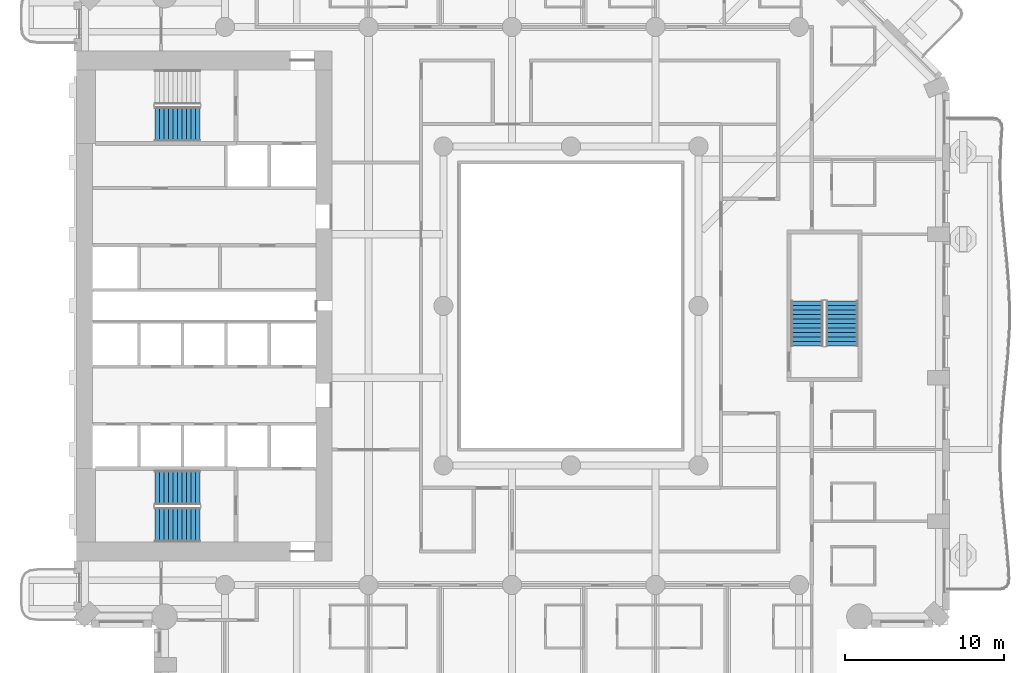
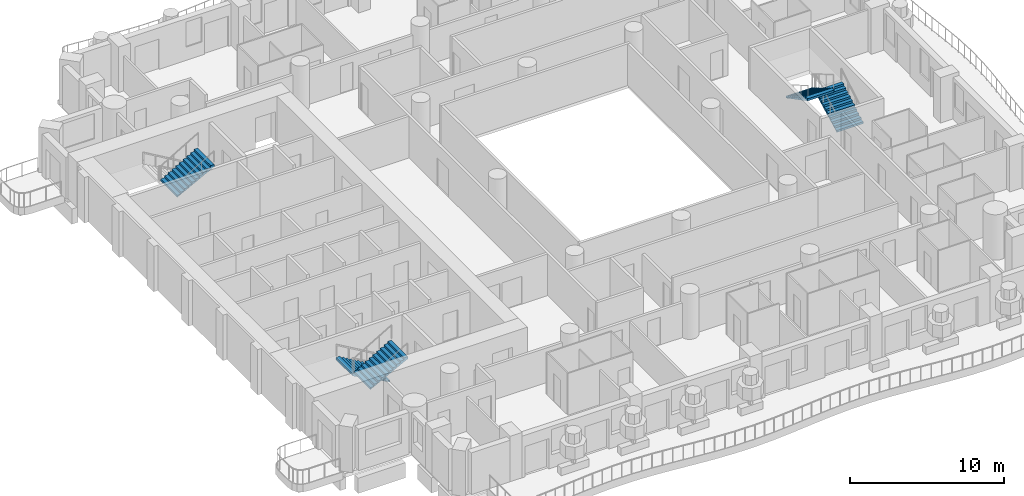
# One storey, part 11 of 20: 5 stair flights, 3 elements without a shape of their own.
"""IFC4 building model written with IfcOpenShell, lengths in metres."""

from ifc_helpers import new_model, si_unit, direction, frame, origin, place, context, subcontext, project, spatial, triangles, material, type_object, element, aggregate, save


model = new_model("IFC4")

# Units and contexts
model_context = context("Model", 3, precision=1e-05, world=origin(), true_north=direction((0.0, 1.0)))
body_context = subcontext(model_context, "Body", "Model", "MODEL_VIEW")
ifc_project = project(units=[si_unit("LENGTHUNIT", "METRE"), si_unit("AREAUNIT", "SQUARE_METRE"), si_unit("VOLUMEUNIT", "CUBIC_METRE"), si_unit("PLANEANGLEUNIT", "RADIAN"), si_unit("MASSUNIT", "GRAM", prefix="KILO")], contexts=[model_context])

# Site, building, storey
site_placement = place(None, origin())
site = spatial("IfcSite", under=ifc_project, at=site_placement, CompositionType="ELEMENT")
building_placement = place(site_placement, origin())
building = spatial("IfcBuilding", under=site, at=building_placement, Name="Cypress Arch Tower", CompositionType="ELEMENT")
storey_placement = place(building_placement, frame((0.0, 0.0, 55.5)))
storey = spatial("IfcBuildingStorey", under=building, at=storey_placement, Name="L07", CompositionType="ELEMENT", Elevation=55.5)

# Stair, stair flights
ifc_material_1 = material(Name="Concrete C40/50", Category="concrete")
stair_type_1 = type_object("IfcStairType", Name="Exit stair ES1636-200", PredefinedType="HALF_TURN_STAIR", material=ifc_material_1)
stair_1_placement = place(storey_placement, origin())
stair_1 = element("IfcStair", 1, at=stair_1_placement, inside=storey, type_object=stair_type_1, Name="L07 Exit stair C", PredefinedType="HALF_TURN_STAIR")
ifc_material_2 = material(Name="Concrete C40/50", Category="concrete")
stair_flight_type_1 = type_object("IfcStairFlightType", Name="Exit stair flight ES1636-200", PredefinedType="STRAIGHT", material=ifc_material_2)
stair_flight_1_placement = place(storey_placement, frame((18.0, -2.5, 0.0), z_axis=(0.0, 0.0, 1.0), x_axis=(0.0, 1.0, 0.0)))
stair_flight_1 = element("IfcStairFlight", 2, at=stair_flight_1_placement, type_object=stair_flight_type_1, Name="C flight 1", NumberOfRisers=11, NumberOfTreads=10, PredefinedType="STRAIGHT", RiserHeight=0.163636364, TreadLength=0.28, context=body_context, shape_type="Tessellation", body=[
    triangles([(0.0, -1.0, 0.0), (0.00048828125, -1.0, 0.054443359375), (0.00048828125, -1.0, 0.109130859375), (0.0, -1.0, 0.16357421875), (0.280029296875, -1.0, 0.16357421875), (0.280029296875, -1.0, 0.327392578125), (0.56005859375, -1.0, 0.327392578125), (0.56005859375, -1.0, 0.490966796875), (0.840087890625, -1.0, 0.490966796875), (0.840087890625, -1.0, 0.654541015625), (1.1201171875, -1.0, 0.654541015625), (1.1201171875, -1.0, 0.818115234375), (1.39990234375, -1.0, 0.818115234375), (1.39990234375, -1.0, 0.98193359375), (1.679931640625, -1.0, 0.98193359375), (1.679931640625, -1.0, 1.1455078125), (1.9599609375, -1.0, 1.1455078125), (1.9599609375, -1.0, 1.30908203125), (2.239990234375, -1.0, 1.30908203125), (2.239990234375, -1.0, 1.47265625), (2.52001953125, -1.0, 1.47265625), (2.52001953125, -1.0, 1.636474609375), (2.800048828125, -1.0, 1.636474609375), (2.799560546875, -1.0, 1.57861328125), (2.799560546875, -1.0, 1.5205078125), (2.800048828125, -1.0, 1.462646484375), (2.800048828125, 1.0, 1.462646484375), (2.799560546875, 1.0, 1.5205078125), (2.799560546875, 1.0, 1.57861328125), (2.800048828125, 1.0, 1.636474609375), (2.52001953125, 1.0, 1.636474609375), (2.52001953125, 1.0, 1.47265625), (2.239990234375, 1.0, 1.47265625), (2.239990234375, 1.0, 1.30908203125), (1.9599609375, 1.0, 1.30908203125), (1.9599609375, 1.0, 1.1455078125), (1.679931640625, 1.0, 1.1455078125), (1.679931640625, 1.0, 0.98193359375), (1.39990234375, 1.0, 0.98193359375), (1.39990234375, 1.0, 0.818115234375), (1.1201171875, 1.0, 0.818115234375), (1.1201171875, 1.0, 0.654541015625), (0.840087890625, 1.0, 0.654541015625), (0.840087890625, 1.0, 0.490966796875), (0.56005859375, 1.0, 0.490966796875), (0.56005859375, 1.0, 0.327392578125), (0.280029296875, 1.0, 0.327392578125), (0.280029296875, 1.0, 0.16357421875), (0.0, 1.0, 0.16357421875), (0.00048828125, 1.0, 0.109130859375), (0.00048828125, 1.0, 0.054443359375), (0.0, 1.0, 0.0), (2.799560546875, 0.0, 1.5205078125), (2.800048828125, 0.0, 1.462646484375), (2.799560546875, 0.0, 1.57861328125), (2.800048828125, 0.0, 1.636474609375), (2.52001953125, 0.0, 1.636474609375), (2.52001953125, 0.0, 1.47265625), (2.239990234375, 0.0, 1.47265625), (2.239990234375, 0.0, 1.30908203125), (1.9599609375, 0.0, 1.30908203125), (1.9599609375, 0.0, 1.1455078125), (1.679931640625, 0.0, 1.1455078125), (1.679931640625, 0.0, 0.98193359375), (1.39990234375, 0.0, 0.98193359375), (1.39990234375, 0.0, 0.818115234375), (1.1201171875, 0.0, 0.818115234375), (1.1201171875, 0.0, 0.654541015625), (0.840087890625, 0.0, 0.654541015625), (0.840087890625, 0.0, 0.490966796875), (0.56005859375, 0.0, 0.490966796875), (0.56005859375, 0.0, 0.327392578125), (0.280029296875, 0.0, 0.327392578125), (0.280029296875, 0.0, 0.16357421875), (0.0, 0.0, 0.16357421875), (0.00048828125, 0.0, 0.109130859375), (0.00048828125, 0.0, 0.054443359375), (0.0, 0.0, 0.0)], [[26, 25, 22], [25, 24, 22], [24, 23, 22], [15, 14, 13], [7, 6, 5], [13, 12, 11], [21, 20, 19], [19, 18, 17], [17, 16, 15], [11, 10, 9], [9, 8, 7], [4, 3, 5], [3, 2, 5], [2, 1, 5], [26, 22, 21], [26, 21, 19], [26, 19, 17], [26, 17, 15], [26, 15, 13], [26, 13, 11], [26, 11, 9], [26, 9, 7], [26, 7, 5], [26, 5, 1], [27, 31, 28], [28, 31, 29], [29, 31, 30], [38, 40, 39], [46, 48, 47], [40, 42, 41], [32, 34, 33], [34, 36, 35], [36, 38, 37], [42, 44, 43], [44, 46, 45], [49, 48, 50], [50, 48, 51], [51, 48, 52], [27, 32, 31], [27, 34, 32], [27, 36, 34], [27, 38, 36], [27, 40, 38], [27, 42, 40], [27, 44, 42], [27, 46, 44], [27, 48, 46], [27, 52, 48], [54, 53, 25], [54, 25, 26], [27, 28, 53], [27, 53, 54], [53, 55, 24], [53, 24, 25], [28, 29, 55], [28, 55, 53], [55, 56, 23], [55, 23, 24], [29, 30, 56], [29, 56, 55], [56, 57, 22], [56, 22, 23], [30, 31, 57], [30, 57, 56], [57, 58, 21], [57, 21, 22], [31, 32, 58], [31, 58, 57], [58, 59, 20], [58, 20, 21], [32, 33, 59], [32, 59, 58], [59, 60, 19], [59, 19, 20], [33, 34, 60], [33, 60, 59], [60, 61, 18], [60, 18, 19], [34, 35, 61], [34, 61, 60], [61, 62, 17], [61, 17, 18], [35, 36, 62], [35, 62, 61], [62, 63, 16], [62, 16, 17], [36, 37, 63], [36, 63, 62], [63, 64, 15], [63, 15, 16], [37, 38, 64], [37, 64, 63], [64, 65, 14], [64, 14, 15], [38, 39, 65], [38, 65, 64], [65, 66, 13], [65, 13, 14], [39, 40, 66], [39, 66, 65], [66, 67, 12], [66, 12, 13], [40, 41, 67], [40, 67, 66], [67, 68, 11], [67, 11, 12], [41, 42, 68], [41, 68, 67], [68, 69, 10], [68, 10, 11], [42, 43, 69], [42, 69, 68], [69, 70, 9], [69, 9, 10], [43, 44, 70], [43, 70, 69], [70, 71, 8], [70, 8, 9], [44, 45, 71], [44, 71, 70], [71, 72, 7], [71, 7, 8], [45, 46, 72], [45, 72, 71], [72, 73, 6], [72, 6, 7], [46, 47, 73], [46, 73, 72], [73, 74, 5], [73, 5, 6], [47, 48, 74], [47, 74, 73], [74, 75, 4], [74, 4, 5], [48, 49, 75], [48, 75, 74], [75, 76, 3], [75, 3, 4], [49, 50, 76], [49, 76, 75], [76, 77, 2], [76, 2, 3], [50, 51, 77], [50, 77, 76], [77, 78, 1], [77, 1, 2], [51, 52, 78], [51, 78, 77], [78, 54, 26], [78, 26, 1], [52, 27, 54], [52, 54, 78]], closed=True),
])
stair_flight_2_placement = place(storey_placement, frame((15.800048828125, 0.300048828125, 1.800048828125), z_axis=(0.0, 0.0, 1.0), x_axis=(0.0, -1.0, 0.0)))
stair_flight_2 = element("IfcStairFlight", 3, at=stair_flight_2_placement, type_object=stair_flight_type_1, Name="C flight 2", NumberOfRisers=11, NumberOfTreads=10, PredefinedType="STRAIGHT", RiserHeight=0.163636364, TreadLength=0.28, context=body_context, shape_type="Tessellation", body=[
    triangles([(0.0, -1.0, 0.0), (0.00048828125, -1.0, 0.054443359375), (0.00048828125, -1.0, 0.109130859375), (0.0, -1.0, 0.16357421875), (0.280029296875, -1.0, 0.16357421875), (0.280029296875, -1.0, 0.327392578125), (0.56005859375, -1.0, 0.327392578125), (0.56005859375, -1.0, 0.490966796875), (0.840087890625, -1.0, 0.490966796875), (0.840087890625, -1.0, 0.654541015625), (1.1201171875, -1.0, 0.654541015625), (1.1201171875, -1.0, 0.818115234375), (1.39990234375, -1.0, 0.818115234375), (1.39990234375, -1.0, 0.98193359375), (1.679931640625, -1.0, 0.98193359375), (1.679931640625, -1.0, 1.1455078125), (1.9599609375, -1.0, 1.1455078125), (1.9599609375, -1.0, 1.30908203125), (2.239990234375, -1.0, 1.30908203125), (2.239990234375, -1.0, 1.47265625), (2.52001953125, -1.0, 1.47265625), (2.52001953125, -1.0, 1.636474609375), (2.800048828125, -1.0, 1.636474609375), (2.799560546875, -1.0, 1.57861328125), (2.799560546875, -1.0, 1.5205078125), (2.800048828125, -1.0, 1.462646484375), (2.800048828125, 1.0, 1.462646484375), (2.799560546875, 1.0, 1.5205078125), (2.799560546875, 1.0, 1.57861328125), (2.800048828125, 1.0, 1.636474609375), (2.52001953125, 1.0, 1.636474609375), (2.52001953125, 1.0, 1.47265625), (2.239990234375, 1.0, 1.47265625), (2.239990234375, 1.0, 1.30908203125), (1.9599609375, 1.0, 1.30908203125), (1.9599609375, 1.0, 1.1455078125), (1.679931640625, 1.0, 1.1455078125), (1.679931640625, 1.0, 0.98193359375), (1.39990234375, 1.0, 0.98193359375), (1.39990234375, 1.0, 0.818115234375), (1.1201171875, 1.0, 0.818115234375), (1.1201171875, 1.0, 0.654541015625), (0.840087890625, 1.0, 0.654541015625), (0.840087890625, 1.0, 0.490966796875), (0.56005859375, 1.0, 0.490966796875), (0.56005859375, 1.0, 0.327392578125), (0.280029296875, 1.0, 0.327392578125), (0.280029296875, 1.0, 0.16357421875), (0.0, 1.0, 0.16357421875), (0.00048828125, 1.0, 0.109130859375), (0.00048828125, 1.0, 0.054443359375), (0.0, 1.0, 0.0), (2.799560546875, 0.0, 1.5205078125), (2.800048828125, 0.0, 1.462646484375), (2.799560546875, 0.0, 1.57861328125), (2.800048828125, 0.0, 1.636474609375), (2.52001953125, 0.0, 1.636474609375), (2.52001953125, 0.0, 1.47265625), (2.239990234375, 0.0, 1.47265625), (2.239990234375, 0.0, 1.30908203125), (1.9599609375, 0.0, 1.30908203125), (1.9599609375, 0.0, 1.1455078125), (1.679931640625, 0.0, 1.1455078125), (1.679931640625, 0.0, 0.98193359375), (1.39990234375, 0.0, 0.98193359375), (1.39990234375, 0.0, 0.818115234375), (1.1201171875, 0.0, 0.818115234375), (1.1201171875, 0.0, 0.654541015625), (0.840087890625, 0.0, 0.654541015625), (0.840087890625, 0.0, 0.490966796875), (0.56005859375, 0.0, 0.490966796875), (0.56005859375, 0.0, 0.327392578125), (0.280029296875, 0.0, 0.327392578125), (0.280029296875, 0.0, 0.16357421875), (0.0, 0.0, 0.16357421875), (0.00048828125, 0.0, 0.109130859375), (0.00048828125, 0.0, 0.054443359375), (0.0, 0.0, 0.0)], [[26, 25, 22], [25, 24, 22], [24, 23, 22], [15, 14, 13], [7, 6, 5], [13, 12, 11], [21, 20, 19], [19, 18, 17], [17, 16, 15], [11, 10, 9], [9, 8, 7], [4, 3, 5], [3, 2, 5], [2, 1, 5], [26, 22, 21], [26, 21, 19], [26, 19, 17], [26, 17, 15], [26, 15, 13], [26, 13, 11], [26, 11, 9], [26, 9, 7], [26, 7, 5], [26, 5, 1], [27, 31, 28], [28, 31, 29], [29, 31, 30], [38, 40, 39], [46, 48, 47], [40, 42, 41], [32, 34, 33], [34, 36, 35], [36, 38, 37], [42, 44, 43], [44, 46, 45], [49, 48, 50], [50, 48, 51], [51, 48, 52], [27, 32, 31], [27, 34, 32], [27, 36, 34], [27, 38, 36], [27, 40, 38], [27, 42, 40], [27, 44, 42], [27, 46, 44], [27, 48, 46], [27, 52, 48], [54, 53, 25], [54, 25, 26], [27, 28, 53], [27, 53, 54], [53, 55, 24], [53, 24, 25], [28, 29, 55], [28, 55, 53], [55, 56, 23], [55, 23, 24], [29, 30, 56], [29, 56, 55], [56, 57, 22], [56, 22, 23], [30, 31, 57], [30, 57, 56], [57, 58, 21], [57, 21, 22], [31, 32, 58], [31, 58, 57], [58, 59, 20], [58, 20, 21], [32, 33, 59], [32, 59, 58], [59, 60, 19], [59, 19, 20], [33, 34, 60], [33, 60, 59], [60, 61, 18], [60, 18, 19], [34, 35, 61], [34, 61, 60], [61, 62, 17], [61, 17, 18], [35, 36, 62], [35, 62, 61], [62, 63, 16], [62, 16, 17], [36, 37, 63], [36, 63, 62], [63, 64, 15], [63, 15, 16], [37, 38, 64], [37, 64, 63], [64, 65, 14], [64, 14, 15], [38, 39, 65], [38, 65, 64], [65, 66, 13], [65, 13, 14], [39, 40, 66], [39, 66, 65], [66, 67, 12], [66, 12, 13], [40, 41, 67], [40, 67, 66], [67, 68, 11], [67, 11, 12], [41, 42, 68], [41, 68, 67], [68, 69, 10], [68, 10, 11], [42, 43, 69], [42, 69, 68], [69, 70, 9], [69, 9, 10], [43, 44, 70], [43, 70, 69], [70, 71, 8], [70, 8, 9], [44, 45, 71], [44, 71, 70], [71, 72, 7], [71, 7, 8], [45, 46, 72], [45, 72, 71], [72, 73, 6], [72, 6, 7], [46, 47, 73], [46, 73, 72], [73, 74, 5], [73, 5, 6], [47, 48, 74], [47, 74, 73], [74, 75, 4], [74, 4, 5], [48, 49, 75], [48, 75, 74], [75, 76, 3], [75, 3, 4], [49, 50, 76], [49, 76, 75], [76, 77, 2], [76, 2, 3], [50, 51, 77], [50, 77, 76], [77, 78, 1], [77, 1, 2], [51, 52, 78], [51, 78, 77], [78, 54, 26], [78, 26, 1], [52, 27, 54], [52, 54, 78]], closed=True),
])
aggregate(stair_1, [stair_flight_1, stair_flight_2])

ifc_material_3 = material(Name="Concrete C40/50", Category="concrete")
stair_type_2 = type_object("IfcStairType", Name="Exit stair ES1636-215", PredefinedType="HALF_TURN_STAIR", material=ifc_material_3)
stair_2_placement = place(storey_placement, origin())
stair_2 = element("IfcStair", 4, at=stair_2_placement, inside=storey, type_object=stair_type_2, Name="L07 Exit stair A", PredefinedType="HALF_TURN_STAIR")
ifc_material_4 = material(Name="Concrete C40/50", Category="concrete")
stair_flight_type_2 = type_object("IfcStairFlightType", Name="Exit stair flight ES1636-215", PredefinedType="STRAIGHT", material=ifc_material_4)
stair_flight_3_placement = place(storey_placement, frame((-22.27490234375, -11.39990234375, 0.0), z_axis=(0.0, 0.0, 1.0), x_axis=(-1.0, 0.0, 0.0)))
stair_flight_3 = element("IfcStairFlight", 5, at=stair_flight_3_placement, type_object=stair_flight_type_2, Name="A flight 1", NumberOfRisers=11, NumberOfTreads=10, PredefinedType="STRAIGHT", RiserHeight=0.163636364, TreadLength=0.28, context=body_context, shape_type="Tessellation", body=[
    triangles([(0.0, -1.074951171875, 0.0), (0.000244140625, -1.074951171875, 0.03271484375), (0.00048828125, -1.074951171875, 0.0654296875), (0.00048828125, -1.074951171875, 0.09814453125), (0.000244140625, -1.074951171875, 0.130859375), (0.0, -1.074951171875, 0.16357421875), (0.280029296875, -1.074951171875, 0.16357421875), (0.280029296875, -1.074951171875, 0.327392578125), (0.56005859375, -1.074951171875, 0.327392578125), (0.56005859375, -1.074951171875, 0.490966796875), (0.840087890625, -1.074951171875, 0.490966796875), (0.840087890625, -1.074951171875, 0.654541015625), (1.1201171875, -1.074951171875, 0.654541015625), (1.1201171875, -1.074951171875, 0.818115234375), (1.39990234375, -1.074951171875, 0.818115234375), (1.39990234375, -1.074951171875, 0.98193359375), (1.679931640625, -1.074951171875, 0.98193359375), (1.679931640625, -1.074951171875, 1.1455078125), (1.9599609375, -1.074951171875, 1.1455078125), (1.9599609375, -1.074951171875, 1.30908203125), (2.239990234375, -1.074951171875, 1.30908203125), (2.239990234375, -1.074951171875, 1.47265625), (2.52001953125, -1.074951171875, 1.47265625), (2.52001953125, -1.074951171875, 1.636474609375), (2.800048828125, -1.074951171875, 1.636474609375), (2.7998046875, -1.074951171875, 1.601806640625), (2.799560546875, -1.074951171875, 1.56689453125), (2.799560546875, -1.074951171875, 1.5322265625), (2.7998046875, -1.074951171875, 1.497314453125), (2.800048828125, -1.074951171875, 1.462646484375), (2.800048828125, 1.074951171875, 1.462646484375), (2.7998046875, 1.074951171875, 1.497314453125), (2.799560546875, 1.074951171875, 1.5322265625), (2.799560546875, 1.074951171875, 1.56689453125), (2.7998046875, 1.074951171875, 1.601806640625), (2.800048828125, 1.074951171875, 1.636474609375), (2.52001953125, 1.074951171875, 1.636474609375), (2.52001953125, 1.074951171875, 1.47265625), (2.239990234375, 1.074951171875, 1.47265625), (2.239990234375, 1.074951171875, 1.30908203125), (1.9599609375, 1.074951171875, 1.30908203125), (1.9599609375, 1.074951171875, 1.1455078125), (1.679931640625, 1.074951171875, 1.1455078125), (1.679931640625, 1.074951171875, 0.98193359375), (1.39990234375, 1.074951171875, 0.98193359375), (1.39990234375, 1.074951171875, 0.818115234375), (1.1201171875, 1.074951171875, 0.818115234375), (1.1201171875, 1.074951171875, 0.654541015625), (0.840087890625, 1.074951171875, 0.654541015625), (0.840087890625, 1.074951171875, 0.490966796875), (0.56005859375, 1.074951171875, 0.490966796875), (0.56005859375, 1.074951171875, 0.327392578125), (0.280029296875, 1.074951171875, 0.327392578125), (0.280029296875, 1.074951171875, 0.16357421875), (0.0, 1.074951171875, 0.16357421875), (0.000244140625, 1.074951171875, 0.130859375), (0.00048828125, 1.074951171875, 0.09814453125), (0.00048828125, 1.074951171875, 0.0654296875), (0.000244140625, 1.074951171875, 0.03271484375), (0.0, 1.074951171875, 0.0), (2.7998046875, 0.0, 1.497314453125), (2.800048828125, 0.0, 1.462646484375), (2.799560546875, 0.0, 1.5322265625), (2.799560546875, 0.0, 1.56689453125), (2.7998046875, 0.0, 1.601806640625), (2.800048828125, 0.0, 1.636474609375), (2.52001953125, 0.0, 1.636474609375), (2.52001953125, 0.0, 1.47265625), (2.239990234375, 0.0, 1.47265625), (2.239990234375, 0.0, 1.30908203125), (1.9599609375, 0.0, 1.30908203125), (1.9599609375, 0.0, 1.1455078125), (1.679931640625, 0.0, 1.1455078125), (1.679931640625, 0.0, 0.98193359375), (1.39990234375, 0.0, 0.98193359375), (1.39990234375, 0.0, 0.818115234375), (1.1201171875, 0.0, 0.818115234375), (1.1201171875, 0.0, 0.654541015625), (0.840087890625, 0.0, 0.654541015625), (0.840087890625, 0.0, 0.490966796875), (0.56005859375, 0.0, 0.490966796875), (0.56005859375, 0.0, 0.327392578125), (0.280029296875, 0.0, 0.327392578125), (0.280029296875, 0.0, 0.16357421875), (0.0, 0.0, 0.16357421875), (0.000244140625, 0.0, 0.130859375), (0.00048828125, 0.0, 0.09814453125), (0.00048828125, 0.0, 0.0654296875), (0.000244140625, 0.0, 0.03271484375), (0.0, 0.0, 0.0)], [[30, 29, 24], [29, 28, 24], [28, 27, 24], [27, 26, 24], [26, 25, 24], [17, 16, 15], [9, 8, 7], [15, 14, 13], [23, 22, 21], [21, 20, 19], [19, 18, 17], [13, 12, 11], [11, 10, 9], [6, 5, 7], [5, 4, 7], [4, 3, 7], [3, 2, 7], [2, 1, 7], [30, 24, 23], [30, 23, 21], [30, 21, 19], [30, 19, 17], [30, 17, 15], [30, 15, 13], [30, 13, 11], [30, 11, 9], [30, 9, 7], [30, 7, 1], [31, 37, 32], [32, 37, 33], [33, 37, 34], [34, 37, 35], [35, 37, 36], [44, 46, 45], [52, 54, 53], [46, 48, 47], [38, 40, 39], [40, 42, 41], [42, 44, 43], [48, 50, 49], [50, 52, 51], [55, 54, 56], [56, 54, 57], [57, 54, 58], [58, 54, 59], [59, 54, 60], [31, 38, 37], [31, 40, 38], [31, 42, 40], [31, 44, 42], [31, 46, 44], [31, 48, 46], [31, 50, 48], [31, 52, 50], [31, 54, 52], [31, 60, 54], [62, 61, 29], [62, 29, 30], [31, 32, 61], [31, 61, 62], [61, 63, 28], [61, 28, 29], [32, 33, 63], [32, 63, 61], [63, 64, 27], [63, 27, 28], [33, 34, 64], [33, 64, 63], [64, 65, 26], [64, 26, 27], [34, 35, 65], [34, 65, 64], [65, 66, 25], [65, 25, 26], [35, 36, 66], [35, 66, 65], [66, 67, 24], [66, 24, 25], [36, 37, 67], [36, 67, 66], [67, 68, 23], [67, 23, 24], [37, 38, 68], [37, 68, 67], [68, 69, 22], [68, 22, 23], [38, 39, 69], [38, 69, 68], [69, 70, 21], [69, 21, 22], [39, 40, 70], [39, 70, 69], [70, 71, 20], [70, 20, 21], [40, 41, 71], [40, 71, 70], [71, 72, 19], [71, 19, 20], [41, 42, 72], [41, 72, 71], [72, 73, 18], [72, 18, 19], [42, 43, 73], [42, 73, 72], [73, 74, 17], [73, 17, 18], [43, 44, 74], [43, 74, 73], [74, 75, 16], [74, 16, 17], [44, 45, 75], [44, 75, 74], [75, 76, 15], [75, 15, 16], [45, 46, 76], [45, 76, 75], [76, 77, 14], [76, 14, 15], [46, 47, 77], [46, 77, 76], [77, 78, 13], [77, 13, 14], [47, 48, 78], [47, 78, 77], [78, 79, 12], [78, 12, 13], [48, 49, 79], [48, 79, 78], [79, 80, 11], [79, 11, 12], [49, 50, 80], [49, 80, 79], [80, 81, 10], [80, 10, 11], [50, 51, 81], [50, 81, 80], [81, 82, 9], [81, 9, 10], [51, 52, 82], [51, 82, 81], [82, 83, 8], [82, 8, 9], [52, 53, 83], [52, 83, 82], [83, 84, 7], [83, 7, 8], [53, 54, 84], [53, 84, 83], [84, 85, 6], [84, 6, 7], [54, 55, 85], [54, 85, 84], [85, 86, 5], [85, 5, 6], [55, 56, 86], [55, 86, 85], [86, 87, 4], [86, 4, 5], [56, 57, 87], [56, 87, 86], [87, 88, 3], [87, 3, 4], [57, 58, 88], [57, 88, 87], [88, 89, 2], [88, 2, 3], [58, 59, 89], [58, 89, 88], [89, 90, 1], [89, 1, 2], [59, 60, 90], [59, 90, 89], [90, 62, 30], [90, 30, 1], [60, 31, 62], [60, 62, 90]], closed=True),
])
stair_flight_4_placement = place(storey_placement, frame((-25.074951171875, -13.72509765625, 1.800048828125), z_axis=(0.0, 0.0, 1.0), x_axis=(1.0, 0.0, 0.0)))
stair_flight_4 = element("IfcStairFlight", 6, at=stair_flight_4_placement, type_object=stair_flight_type_2, Name="A flight 2", NumberOfRisers=11, NumberOfTreads=10, PredefinedType="STRAIGHT", RiserHeight=0.163636364, TreadLength=0.28, context=body_context, shape_type="Tessellation", body=[
    triangles([(0.0, -1.074951171875, 0.0), (0.000244140625, -1.074951171875, 0.03271484375), (0.00048828125, -1.074951171875, 0.0654296875), (0.00048828125, -1.074951171875, 0.09814453125), (0.000244140625, -1.074951171875, 0.130859375), (0.0, -1.074951171875, 0.16357421875), (0.280029296875, -1.074951171875, 0.16357421875), (0.280029296875, -1.074951171875, 0.327392578125), (0.56005859375, -1.074951171875, 0.327392578125), (0.56005859375, -1.074951171875, 0.490966796875), (0.840087890625, -1.074951171875, 0.490966796875), (0.840087890625, -1.074951171875, 0.654541015625), (1.1201171875, -1.074951171875, 0.654541015625), (1.1201171875, -1.074951171875, 0.818115234375), (1.39990234375, -1.074951171875, 0.818115234375), (1.39990234375, -1.074951171875, 0.98193359375), (1.679931640625, -1.074951171875, 0.98193359375), (1.679931640625, -1.074951171875, 1.1455078125), (1.9599609375, -1.074951171875, 1.1455078125), (1.9599609375, -1.074951171875, 1.30908203125), (2.239990234375, -1.074951171875, 1.30908203125), (2.239990234375, -1.074951171875, 1.47265625), (2.52001953125, -1.074951171875, 1.47265625), (2.52001953125, -1.074951171875, 1.636474609375), (2.800048828125, -1.074951171875, 1.636474609375), (2.7998046875, -1.074951171875, 1.601806640625), (2.799560546875, -1.074951171875, 1.56689453125), (2.799560546875, -1.074951171875, 1.5322265625), (2.7998046875, -1.074951171875, 1.497314453125), (2.800048828125, -1.074951171875, 1.462646484375), (2.800048828125, 1.074951171875, 1.462646484375), (2.7998046875, 1.074951171875, 1.497314453125), (2.799560546875, 1.074951171875, 1.5322265625), (2.799560546875, 1.074951171875, 1.56689453125), (2.7998046875, 1.074951171875, 1.601806640625), (2.800048828125, 1.074951171875, 1.636474609375), (2.52001953125, 1.074951171875, 1.636474609375), (2.52001953125, 1.074951171875, 1.47265625), (2.239990234375, 1.074951171875, 1.47265625), (2.239990234375, 1.074951171875, 1.30908203125), (1.9599609375, 1.074951171875, 1.30908203125), (1.9599609375, 1.074951171875, 1.1455078125), (1.679931640625, 1.074951171875, 1.1455078125), (1.679931640625, 1.074951171875, 0.98193359375), (1.39990234375, 1.074951171875, 0.98193359375), (1.39990234375, 1.074951171875, 0.818115234375), (1.1201171875, 1.074951171875, 0.818115234375), (1.1201171875, 1.074951171875, 0.654541015625), (0.840087890625, 1.074951171875, 0.654541015625), (0.840087890625, 1.074951171875, 0.490966796875), (0.56005859375, 1.074951171875, 0.490966796875), (0.56005859375, 1.074951171875, 0.327392578125), (0.280029296875, 1.074951171875, 0.327392578125), (0.280029296875, 1.074951171875, 0.16357421875), (0.0, 1.074951171875, 0.16357421875), (0.000244140625, 1.074951171875, 0.130859375), (0.00048828125, 1.074951171875, 0.09814453125), (0.00048828125, 1.074951171875, 0.0654296875), (0.000244140625, 1.074951171875, 0.03271484375), (0.0, 1.074951171875, 0.0), (2.7998046875, 0.0, 1.497314453125), (2.800048828125, 0.0, 1.462646484375), (2.799560546875, 0.0, 1.5322265625), (2.799560546875, 0.0, 1.56689453125), (2.7998046875, 0.0, 1.601806640625), (2.800048828125, 0.0, 1.636474609375), (2.52001953125, 0.0, 1.636474609375), (2.52001953125, 0.0, 1.47265625), (2.239990234375, 0.0, 1.47265625), (2.239990234375, 0.0, 1.30908203125), (1.9599609375, 0.0, 1.30908203125), (1.9599609375, 0.0, 1.1455078125), (1.679931640625, 0.0, 1.1455078125), (1.679931640625, 0.0, 0.98193359375), (1.39990234375, 0.0, 0.98193359375), (1.39990234375, 0.0, 0.818115234375), (1.1201171875, 0.0, 0.818115234375), (1.1201171875, 0.0, 0.654541015625), (0.840087890625, 0.0, 0.654541015625), (0.840087890625, 0.0, 0.490966796875), (0.56005859375, 0.0, 0.490966796875), (0.56005859375, 0.0, 0.327392578125), (0.280029296875, 0.0, 0.327392578125), (0.280029296875, 0.0, 0.16357421875), (0.0, 0.0, 0.16357421875), (0.000244140625, 0.0, 0.130859375), (0.00048828125, 0.0, 0.09814453125), (0.00048828125, 0.0, 0.0654296875), (0.000244140625, 0.0, 0.03271484375), (0.0, 0.0, 0.0)], [[30, 29, 24], [29, 28, 24], [28, 27, 24], [27, 26, 24], [26, 25, 24], [17, 16, 15], [9, 8, 7], [15, 14, 13], [23, 22, 21], [21, 20, 19], [19, 18, 17], [13, 12, 11], [11, 10, 9], [6, 5, 7], [5, 4, 7], [4, 3, 7], [3, 2, 7], [2, 1, 7], [30, 24, 23], [30, 23, 21], [30, 21, 19], [30, 19, 17], [30, 17, 15], [30, 15, 13], [30, 13, 11], [30, 11, 9], [30, 9, 7], [30, 7, 1], [31, 37, 32], [32, 37, 33], [33, 37, 34], [34, 37, 35], [35, 37, 36], [44, 46, 45], [52, 54, 53], [46, 48, 47], [38, 40, 39], [40, 42, 41], [42, 44, 43], [48, 50, 49], [50, 52, 51], [55, 54, 56], [56, 54, 57], [57, 54, 58], [58, 54, 59], [59, 54, 60], [31, 38, 37], [31, 40, 38], [31, 42, 40], [31, 44, 42], [31, 46, 44], [31, 48, 46], [31, 50, 48], [31, 52, 50], [31, 54, 52], [31, 60, 54], [62, 61, 29], [62, 29, 30], [31, 32, 61], [31, 61, 62], [61, 63, 28], [61, 28, 29], [32, 33, 63], [32, 63, 61], [63, 64, 27], [63, 27, 28], [33, 34, 64], [33, 64, 63], [64, 65, 26], [64, 26, 27], [34, 35, 65], [34, 65, 64], [65, 66, 25], [65, 25, 26], [35, 36, 66], [35, 66, 65], [66, 67, 24], [66, 24, 25], [36, 37, 67], [36, 67, 66], [67, 68, 23], [67, 23, 24], [37, 38, 68], [37, 68, 67], [68, 69, 22], [68, 22, 23], [38, 39, 69], [38, 69, 68], [69, 70, 21], [69, 21, 22], [39, 40, 70], [39, 70, 69], [70, 71, 20], [70, 20, 21], [40, 41, 71], [40, 71, 70], [71, 72, 19], [71, 19, 20], [41, 42, 72], [41, 72, 71], [72, 73, 18], [72, 18, 19], [42, 43, 73], [42, 73, 72], [73, 74, 17], [73, 17, 18], [43, 44, 74], [43, 74, 73], [74, 75, 16], [74, 16, 17], [44, 45, 75], [44, 75, 74], [75, 76, 15], [75, 15, 16], [45, 46, 76], [45, 76, 75], [76, 77, 14], [76, 14, 15], [46, 47, 77], [46, 77, 76], [77, 78, 13], [77, 13, 14], [47, 48, 78], [47, 78, 77], [78, 79, 12], [78, 12, 13], [48, 49, 79], [48, 79, 78], [79, 80, 11], [79, 11, 12], [49, 50, 80], [49, 80, 79], [80, 81, 10], [80, 10, 11], [50, 51, 81], [50, 81, 80], [81, 82, 9], [81, 9, 10], [51, 52, 82], [51, 82, 81], [82, 83, 8], [82, 8, 9], [52, 53, 83], [52, 83, 82], [83, 84, 7], [83, 7, 8], [53, 54, 84], [53, 84, 83], [84, 85, 6], [84, 6, 7], [54, 55, 85], [54, 85, 84], [85, 86, 5], [85, 5, 6], [55, 56, 86], [55, 86, 85], [86, 87, 4], [86, 4, 5], [56, 57, 87], [56, 87, 86], [87, 88, 3], [87, 3, 4], [57, 58, 88], [57, 88, 87], [88, 89, 2], [88, 2, 3], [58, 59, 89], [58, 89, 88], [89, 90, 1], [89, 1, 2], [59, 60, 90], [59, 90, 89], [90, 62, 30], [90, 30, 1], [60, 31, 62], [60, 62, 90]], closed=True),
])
aggregate(stair_2, [stair_flight_3, stair_flight_4])

# Stair, stair flight
stair_3_placement = place(storey_placement, origin())
stair_3 = element("IfcStair", 7, at=stair_3_placement, inside=storey, type_object=stair_type_2, Name="L07 Exit stair B", PredefinedType="HALF_TURN_STAIR")
stair_flight_5_placement = place(storey_placement, frame((-25.074951171875, 11.39990234375, 1.800048828125), z_axis=(0.0, 0.0, 1.0), x_axis=(1.0, 0.0, 0.0)))
stair_flight_5 = element("IfcStairFlight", 8, at=stair_flight_5_placement, type_object=stair_flight_type_2, Name="B flight 2", NumberOfRisers=11, NumberOfTreads=10, PredefinedType="STRAIGHT", RiserHeight=0.163636364, TreadLength=0.28, context=body_context, shape_type="Tessellation", body=[
    triangles([(0.0, -1.074951171875, 0.0), (0.000244140625, -1.074951171875, 0.03271484375), (0.00048828125, -1.074951171875, 0.0654296875), (0.00048828125, -1.074951171875, 0.09814453125), (0.000244140625, -1.074951171875, 0.130859375), (0.0, -1.074951171875, 0.16357421875), (0.280029296875, -1.074951171875, 0.16357421875), (0.280029296875, -1.074951171875, 0.327392578125), (0.56005859375, -1.074951171875, 0.327392578125), (0.56005859375, -1.074951171875, 0.490966796875), (0.840087890625, -1.074951171875, 0.490966796875), (0.840087890625, -1.074951171875, 0.654541015625), (1.1201171875, -1.074951171875, 0.654541015625), (1.1201171875, -1.074951171875, 0.818115234375), (1.39990234375, -1.074951171875, 0.818115234375), (1.39990234375, -1.074951171875, 0.98193359375), (1.679931640625, -1.074951171875, 0.98193359375), (1.679931640625, -1.074951171875, 1.1455078125), (1.9599609375, -1.074951171875, 1.1455078125), (1.9599609375, -1.074951171875, 1.30908203125), (2.239990234375, -1.074951171875, 1.30908203125), (2.239990234375, -1.074951171875, 1.47265625), (2.52001953125, -1.074951171875, 1.47265625), (2.52001953125, -1.074951171875, 1.636474609375), (2.800048828125, -1.074951171875, 1.636474609375), (2.7998046875, -1.074951171875, 1.601806640625), (2.799560546875, -1.074951171875, 1.56689453125), (2.799560546875, -1.074951171875, 1.5322265625), (2.7998046875, -1.074951171875, 1.497314453125), (2.800048828125, -1.074951171875, 1.462646484375), (2.800048828125, 1.074951171875, 1.462646484375), (2.7998046875, 1.074951171875, 1.497314453125), (2.799560546875, 1.074951171875, 1.5322265625), (2.799560546875, 1.074951171875, 1.56689453125), (2.7998046875, 1.074951171875, 1.601806640625), (2.800048828125, 1.074951171875, 1.636474609375), (2.52001953125, 1.074951171875, 1.636474609375), (2.52001953125, 1.074951171875, 1.47265625), (2.239990234375, 1.074951171875, 1.47265625), (2.239990234375, 1.074951171875, 1.30908203125), (1.9599609375, 1.074951171875, 1.30908203125), (1.9599609375, 1.074951171875, 1.1455078125), (1.679931640625, 1.074951171875, 1.1455078125), (1.679931640625, 1.074951171875, 0.98193359375), (1.39990234375, 1.074951171875, 0.98193359375), (1.39990234375, 1.074951171875, 0.818115234375), (1.1201171875, 1.074951171875, 0.818115234375), (1.1201171875, 1.074951171875, 0.654541015625), (0.840087890625, 1.074951171875, 0.654541015625), (0.840087890625, 1.074951171875, 0.490966796875), (0.56005859375, 1.074951171875, 0.490966796875), (0.56005859375, 1.074951171875, 0.327392578125), (0.280029296875, 1.074951171875, 0.327392578125), (0.280029296875, 1.074951171875, 0.16357421875), (0.0, 1.074951171875, 0.16357421875), (0.000244140625, 1.074951171875, 0.130859375), (0.00048828125, 1.074951171875, 0.09814453125), (0.00048828125, 1.074951171875, 0.0654296875), (0.000244140625, 1.074951171875, 0.03271484375), (0.0, 1.074951171875, 0.0), (2.7998046875, 0.0, 1.497314453125), (2.800048828125, 0.0, 1.462646484375), (2.799560546875, 0.0, 1.5322265625), (2.799560546875, 0.0, 1.56689453125), (2.7998046875, 0.0, 1.601806640625), (2.800048828125, 0.0, 1.636474609375), (2.52001953125, 0.0, 1.636474609375), (2.52001953125, 0.0, 1.47265625), (2.239990234375, 0.0, 1.47265625), (2.239990234375, 0.0, 1.30908203125), (1.9599609375, 0.0, 1.30908203125), (1.9599609375, 0.0, 1.1455078125), (1.679931640625, 0.0, 1.1455078125), (1.679931640625, 0.0, 0.98193359375), (1.39990234375, 0.0, 0.98193359375), (1.39990234375, 0.0, 0.818115234375), (1.1201171875, 0.0, 0.818115234375), (1.1201171875, 0.0, 0.654541015625), (0.840087890625, 0.0, 0.654541015625), (0.840087890625, 0.0, 0.490966796875), (0.56005859375, 0.0, 0.490966796875), (0.56005859375, 0.0, 0.327392578125), (0.280029296875, 0.0, 0.327392578125), (0.280029296875, 0.0, 0.16357421875), (0.0, 0.0, 0.16357421875), (0.000244140625, 0.0, 0.130859375), (0.00048828125, 0.0, 0.09814453125), (0.00048828125, 0.0, 0.0654296875), (0.000244140625, 0.0, 0.03271484375), (0.0, 0.0, 0.0)], [[30, 29, 24], [29, 28, 24], [28, 27, 24], [27, 26, 24], [26, 25, 24], [17, 16, 15], [9, 8, 7], [15, 14, 13], [23, 22, 21], [21, 20, 19], [19, 18, 17], [13, 12, 11], [11, 10, 9], [6, 5, 7], [5, 4, 7], [4, 3, 7], [3, 2, 7], [2, 1, 7], [30, 24, 23], [30, 23, 21], [30, 21, 19], [30, 19, 17], [30, 17, 15], [30, 15, 13], [30, 13, 11], [30, 11, 9], [30, 9, 7], [30, 7, 1], [31, 37, 32], [32, 37, 33], [33, 37, 34], [34, 37, 35], [35, 37, 36], [44, 46, 45], [52, 54, 53], [46, 48, 47], [38, 40, 39], [40, 42, 41], [42, 44, 43], [48, 50, 49], [50, 52, 51], [55, 54, 56], [56, 54, 57], [57, 54, 58], [58, 54, 59], [59, 54, 60], [31, 38, 37], [31, 40, 38], [31, 42, 40], [31, 44, 42], [31, 46, 44], [31, 48, 46], [31, 50, 48], [31, 52, 50], [31, 54, 52], [31, 60, 54], [62, 61, 29], [62, 29, 30], [31, 32, 61], [31, 61, 62], [61, 63, 28], [61, 28, 29], [32, 33, 63], [32, 63, 61], [63, 64, 27], [63, 27, 28], [33, 34, 64], [33, 64, 63], [64, 65, 26], [64, 26, 27], [34, 35, 65], [34, 65, 64], [65, 66, 25], [65, 25, 26], [35, 36, 66], [35, 66, 65], [66, 67, 24], [66, 24, 25], [36, 37, 67], [36, 67, 66], [67, 68, 23], [67, 23, 24], [37, 38, 68], [37, 68, 67], [68, 69, 22], [68, 22, 23], [38, 39, 69], [38, 69, 68], [69, 70, 21], [69, 21, 22], [39, 40, 70], [39, 70, 69], [70, 71, 20], [70, 20, 21], [40, 41, 71], [40, 71, 70], [71, 72, 19], [71, 19, 20], [41, 42, 72], [41, 72, 71], [72, 73, 18], [72, 18, 19], [42, 43, 73], [42, 73, 72], [73, 74, 17], [73, 17, 18], [43, 44, 74], [43, 74, 73], [74, 75, 16], [74, 16, 17], [44, 45, 75], [44, 75, 74], [75, 76, 15], [75, 15, 16], [45, 46, 76], [45, 76, 75], [76, 77, 14], [76, 14, 15], [46, 47, 77], [46, 77, 76], [77, 78, 13], [77, 13, 14], [47, 48, 78], [47, 78, 77], [78, 79, 12], [78, 12, 13], [48, 49, 79], [48, 79, 78], [79, 80, 11], [79, 11, 12], [49, 50, 80], [49, 80, 79], [80, 81, 10], [80, 10, 11], [50, 51, 81], [50, 81, 80], [81, 82, 9], [81, 9, 10], [51, 52, 82], [51, 82, 81], [82, 83, 8], [82, 8, 9], [52, 53, 83], [52, 83, 82], [83, 84, 7], [83, 7, 8], [53, 54, 84], [53, 84, 83], [84, 85, 6], [84, 6, 7], [54, 55, 85], [54, 85, 84], [85, 86, 5], [85, 5, 6], [55, 56, 86], [55, 86, 85], [86, 87, 4], [86, 4, 5], [56, 57, 87], [56, 87, 86], [87, 88, 3], [87, 3, 4], [57, 58, 88], [57, 88, 87], [88, 89, 2], [88, 2, 3], [58, 59, 89], [58, 89, 88], [89, 90, 1], [89, 1, 2], [59, 60, 90], [59, 90, 89], [90, 62, 30], [90, 30, 1], [60, 31, 62], [60, 62, 90]], closed=True),
])
aggregate(stair_3, [stair_flight_5])

save(model, "model.ifc")
